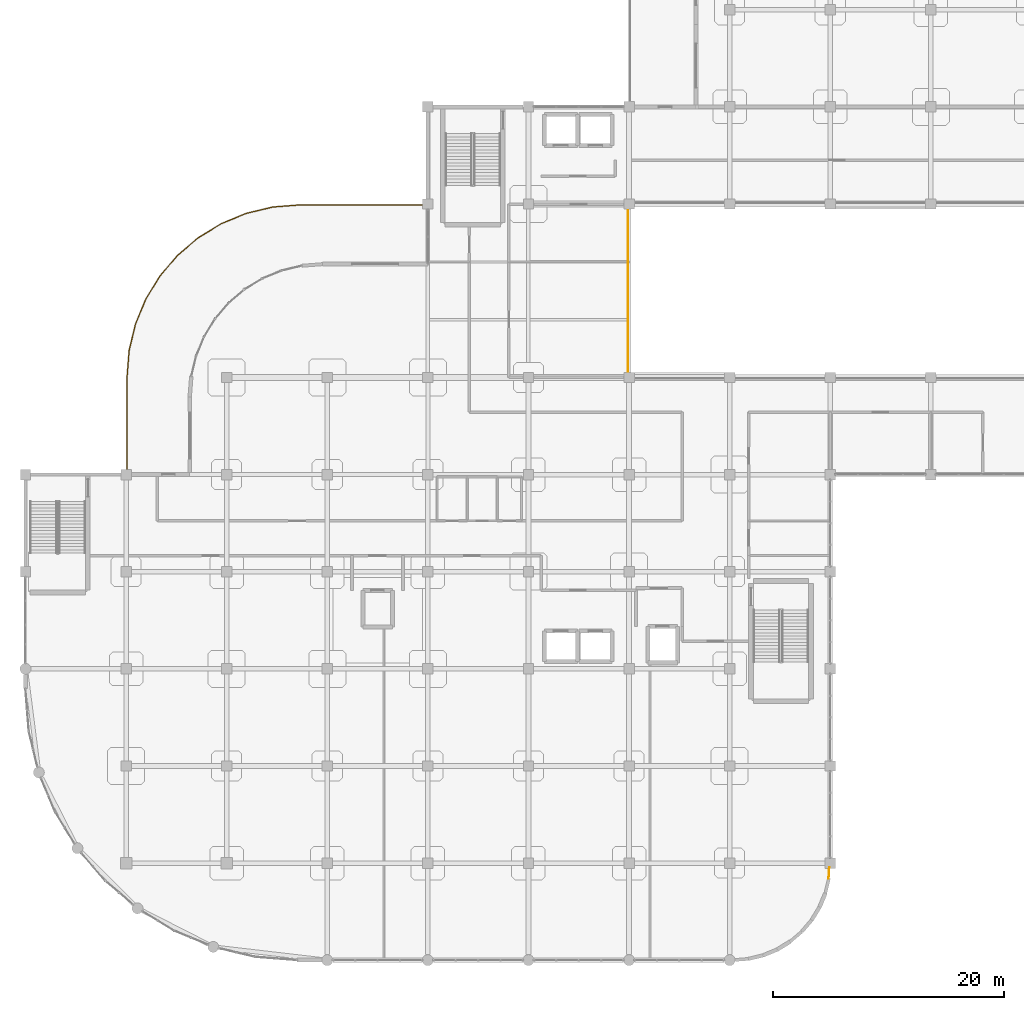
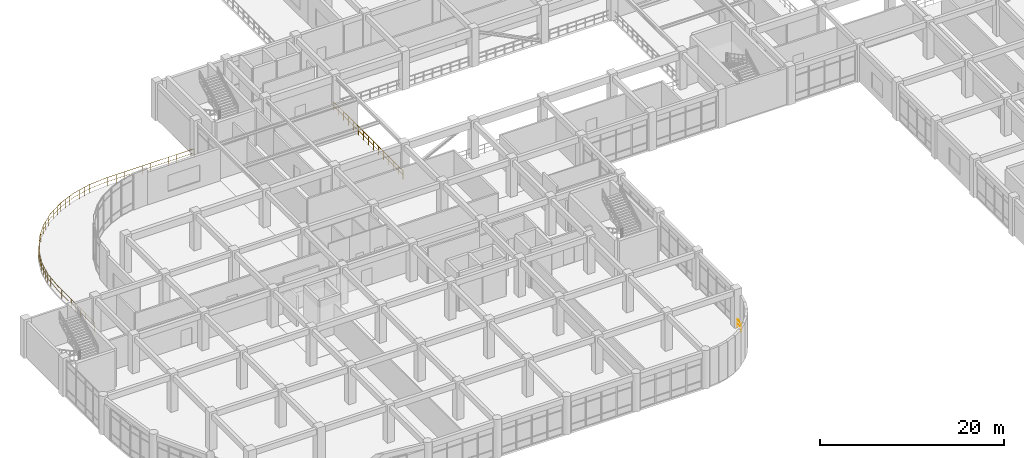
# One storey, part 111 of 120: 3 railings.
"""IFC4 building model written with IfcOpenShell, lengths in metres."""

from ifc_helpers import new_model, si_unit, derived_unit, direction, frame, origin, origin_2d, place, context, subcontext, project, spatial, circle, extrude, material, type_object, element, save


model = new_model("IFC4")

# Units and contexts
model_context = context("Model", 3, precision=1e-05, world=origin(), true_north=direction((0.0, 1.0)))
body_context = subcontext(model_context, "Body", "Model", "MODEL_VIEW")
ifc_project = project(units=[si_unit("LENGTHUNIT", "METRE"), si_unit("AREAUNIT", "SQUARE_METRE"), si_unit("VOLUMEUNIT", "CUBIC_METRE"), si_unit("PLANEANGLEUNIT", "RADIAN"), si_unit("MASSUNIT", "GRAM", prefix="KILO"), derived_unit("THERMALTRANSMITTANCEUNIT", [(si_unit("MASSUNIT", "GRAM", prefix="KILO"), 1), (si_unit("TIMEUNIT", "SECOND"), -3), (si_unit("THERMODYNAMICTEMPERATUREUNIT", "KELVIN"), -1)])], contexts=[model_context])

# Site, building, storey
site_placement = place(None, origin())
site = spatial("IfcSite", under=ifc_project, at=site_placement, CompositionType="ELEMENT")
building_placement = place(site_placement, origin())
building = spatial("IfcBuilding", under=site, at=building_placement, Name="Qinzheling Arcade Emporium", CompositionType="ELEMENT")
storey_placement = place(building_placement, frame((0.0, 0.0, 11.39990234375)))
storey = spatial("IfcBuildingStorey", under=building, at=storey_placement, Name="L03", CompositionType="ELEMENT", Elevation=11.39990234375)

# Railings
ifc_material_1 = material(Name="Architectural bronze rail and laminated safety glass", Category="glass")
railing_type_1 = type_object("IfcRailingType", Name="Curved Terrace Laminated Glass and Bronze Balustrade 1150", PredefinedType="BALUSTRADE", material=ifc_material_1)
railing_1_placement = place(storey_placement, frame((8.780029296875, 42.219970703125, 0.0)))
element("IfcRailing", 1, at=railing_1_placement, inside=storey, type_object=railing_type_1, Name="Terrace Balustrade RLG-TER-L03-001", PredefinedType="BALUSTRADE", context=body_context, shape_type="SweptSolid", body=[
    extrude(circle(Radius=0.02392578125, at=origin_2d()), frame((0.0, 0.0, 1.1259765625), z_axis=(0.0, 1.0, 0.0), x_axis=(-1.0, 0.0, 0.0)), (0.0, 0.0, 1.0), 8.177001953125),
    extrude(circle(Radius=0.01611328125, at=origin_2d()), frame((0.0, 0.0, 0.574951171875), z_axis=(0.0, 1.0, 0.0), x_axis=(-1.0, 0.0, 0.0)), (0.0, 0.0, 1.0), 8.177001953125),
    extrude(circle(Radius=0.02392578125, at=origin_2d()), frame((0.0, 8.177001953125, 1.1259765625), z_axis=(0.078528162279, 0.99691189567, 0.0), x_axis=(-0.99691189567, 0.078528162279, 0.0)), (0.0, 0.0, 1.0), 2.34423828125),
    extrude(circle(Radius=0.01611328125, at=origin_2d()), frame((0.0, 8.177001953125, 0.574951171875), z_axis=(0.078528162279, 0.99691189567, 0.0), x_axis=(-0.99691189567, 0.078528162279, 0.0)), (0.0, 0.0, 1.0), 2.34423828125),
    extrude(circle(Radius=0.02392578125, at=origin_2d()), frame((0.18408203125, 10.513916015625, 1.1259765625), z_axis=(0.23322304274, 0.972423268096, 0.0), x_axis=(-0.972423268096, 0.23322304274, 0.0)), (0.0, 0.0, 1.0), 2.340576171875),
    extrude(circle(Radius=0.01611328125, at=origin_2d()), frame((0.18408203125, 10.513916015625, 0.574951171875), z_axis=(0.23322304274, 0.972423268096, 0.0), x_axis=(-0.972423268096, 0.23322304274, 0.0)), (0.0, 0.0, 1.0), 2.340576171875),
    extrude(circle(Radius=0.02392578125, at=origin_2d()), frame((0.72998046875, 12.7900390625, 1.1259765625), z_axis=(0.382542052981, 0.923938081097, 0.0), x_axis=(-0.923938081097, 0.382542052981, 0.0)), (0.0, 0.0, 1.0), 2.34228515625),
    extrude(circle(Radius=0.01611328125, at=origin_2d()), frame((0.72998046875, 12.7900390625, 0.574951171875), z_axis=(0.382542052981, 0.923938081097, 0.0), x_axis=(-0.923938081097, 0.382542052981, 0.0)), (0.0, 0.0, 1.0), 2.34228515625),
    extrude(circle(Radius=0.02392578125, at=origin_2d()), frame((1.6259765625, 14.9541015625, 1.1259765625), z_axis=(0.52275277682, 0.85248433084, 0.0), x_axis=(-0.85248433084, 0.52275277682, 0.0)), (0.0, 0.0, 1.0), 2.34130859375),
    extrude(circle(Radius=0.01611328125, at=origin_2d()), frame((1.6259765625, 14.9541015625, 0.574951171875), z_axis=(0.52275277682, 0.85248433084, 0.0), x_axis=(-0.85248433084, 0.52275277682, 0.0)), (0.0, 0.0, 1.0), 2.34130859375),
    extrude(circle(Radius=0.02392578125, at=origin_2d()), frame((2.849853515625, 16.949951171875, 1.1259765625), z_axis=(0.649381568621, 0.76046273961, 0.0), x_axis=(-0.76046273961, 0.649381568621, 0.0)), (0.0, 0.0, 1.0), 2.3408203125),
    extrude(circle(Radius=0.01611328125, at=origin_2d()), frame((2.849853515625, 16.949951171875, 0.574951171875), z_axis=(0.649381568621, 0.76046273961, 0.0), x_axis=(-0.76046273961, 0.649381568621, 0.0)), (0.0, 0.0, 1.0), 2.3408203125),
    extrude(circle(Radius=0.02392578125, at=origin_2d()), frame((4.369873046875, 18.72998046875, 1.1259765625), z_axis=(0.76046273961, 0.649381568621, 0.0), x_axis=(-0.649381568621, 0.76046273961, 0.0)), (0.0, 0.0, 1.0), 2.3408203125),
    extrude(circle(Radius=0.01611328125, at=origin_2d()), frame((4.369873046875, 18.72998046875, 0.574951171875), z_axis=(0.76046273961, 0.649381568621, 0.0), x_axis=(-0.649381568621, 0.76046273961, 0.0)), (0.0, 0.0, 1.0), 2.3408203125),
    extrude(circle(Radius=0.02392578125, at=origin_2d()), frame((6.14990234375, 20.25, 1.1259765625), z_axis=(0.852466358468, 0.522782084315, 0.0), x_axis=(-0.522782084315, 0.852466358468, 0.0)), (0.0, 0.0, 1.0), 2.341552734375),
    extrude(circle(Radius=0.01611328125, at=origin_2d()), frame((6.14990234375, 20.25, 0.574951171875), z_axis=(0.852466358468, 0.522782084315, 0.0), x_axis=(-0.522782084315, 0.852466358468, 0.0)), (0.0, 0.0, 1.0), 2.341552734375),
    extrude(circle(Radius=0.02392578125, at=origin_2d()), frame((8.14599609375, 21.47412109375, 1.1259765625), z_axis=(0.923938081097, 0.382542052981, 0.0), x_axis=(-0.382542052981, 0.923938081097, 0.0)), (0.0, 0.0, 1.0), 2.34228515625),
    extrude(circle(Radius=0.01611328125, at=origin_2d()), frame((8.14599609375, 21.47412109375, 0.574951171875), z_axis=(0.923938081097, 0.382542052981, 0.0), x_axis=(-0.382542052981, 0.923938081097, 0.0)), (0.0, 0.0, 1.0), 2.34228515625),
    extrude(circle(Radius=0.02392578125, at=origin_2d()), frame((10.31005859375, 22.3701171875, 1.1259765625), z_axis=(0.972417593844, 0.233246700261, 0.0), x_axis=(-0.233246700261, 0.972417593844, 0.0)), (0.0, 0.0, 1.0), 2.34033203125),
    extrude(circle(Radius=0.01611328125, at=origin_2d()), frame((10.31005859375, 22.3701171875, 0.574951171875), z_axis=(0.972417593844, 0.233246700261, 0.0), x_axis=(-0.233246700261, 0.972417593844, 0.0)), (0.0, 0.0, 1.0), 2.34033203125),
    extrude(circle(Radius=0.02392578125, at=origin_2d()), frame((12.5859375, 22.916015625, 1.1259765625), z_axis=(0.99691189567, 0.078528162279, 0.0), x_axis=(-0.078528162279, 0.99691189567, 0.0)), (0.0, 0.0, 1.0), 2.34423828125),
    extrude(circle(Radius=0.01611328125, at=origin_2d()), frame((12.5859375, 22.916015625, 0.574951171875), z_axis=(0.99691189567, 0.078528162279, 0.0), x_axis=(-0.078528162279, 0.99691189567, 0.0)), (0.0, 0.0, 1.0), 2.34423828125),
    extrude(circle(Radius=0.02392578125, at=origin_2d()), frame((14.9228515625, 23.10009765625, 1.1259765625), z_axis=(1.0, 0.0, 0.0), x_axis=(0.0, 1.0, 0.0)), (0.0, 0.0, 1.0), 10.877197265625),
    extrude(circle(Radius=0.01611328125, at=origin_2d()), frame((14.9228515625, 23.10009765625, 0.574951171875), z_axis=(1.0, 0.0, 0.0), x_axis=(0.0, 1.0, 0.0)), (0.0, 0.0, 1.0), 10.877197265625),
    extrude(circle(Radius=0.02099609375, at=origin_2d()), origin(), (0.0, 0.0, 1.0), 1.101806640625),
    extrude(circle(Radius=0.02099609375, at=origin_2d()), frame((0.0, 1.022216796875, 0.0)), (0.0, 0.0, 1.0), 1.101806640625),
    extrude(circle(Radius=0.02099609375, at=origin_2d()), frame((0.0, 2.044189453125, 0.0)), (0.0, 0.0, 1.0), 1.101806640625),
    extrude(circle(Radius=0.02099609375, at=origin_2d()), frame((0.0, 3.06640625, 0.0)), (0.0, 0.0, 1.0), 1.101806640625),
    extrude(circle(Radius=0.02099609375, at=origin_2d()), frame((0.0, 4.08837890625, 0.0)), (0.0, 0.0, 1.0), 1.101806640625),
    extrude(circle(Radius=0.02099609375, at=origin_2d()), frame((0.0, 5.110595703125, 0.0)), (0.0, 0.0, 1.0), 1.101806640625),
    extrude(circle(Radius=0.02099609375, at=origin_2d()), frame((0.0, 6.1328125, 0.0)), (0.0, 0.0, 1.0), 1.101806640625),
    extrude(circle(Radius=0.02099609375, at=origin_2d()), frame((0.0, 7.15478515625, 0.0)), (0.0, 0.0, 1.0), 1.101806640625),
    extrude(circle(Radius=0.02099609375, at=origin_2d()), frame((0.0, 8.177001953125, 0.0)), (0.0, 0.0, 1.0), 1.101806640625),
    extrude(circle(Radius=0.02099609375, at=origin_2d()), frame((0.061279296875, 8.9560546875, 0.0)), (0.0, 0.0, 1.0), 1.101806640625),
    extrude(circle(Radius=0.02099609375, at=origin_2d()), frame((0.122802734375, 9.73486328125, 0.0)), (0.0, 0.0, 1.0), 1.101806640625),
    extrude(circle(Radius=0.02099609375, at=origin_2d()), frame((0.18408203125, 10.513916015625, 0.0)), (0.0, 0.0, 1.0), 1.101806640625),
    extrude(circle(Radius=0.02099609375, at=origin_2d()), frame((0.365966796875, 11.272705078125, 0.0)), (0.0, 0.0, 1.0), 1.101806640625),
    extrude(circle(Radius=0.02099609375, at=origin_2d()), frame((0.548095703125, 12.03125, 0.0)), (0.0, 0.0, 1.0), 1.101806640625),
    extrude(circle(Radius=0.02099609375, at=origin_2d()), frame((0.72998046875, 12.7900390625, 0.0)), (0.0, 0.0, 1.0), 1.101806640625),
    extrude(circle(Radius=0.02099609375, at=origin_2d()), frame((1.028564453125, 13.511474609375, 0.0)), (0.0, 0.0, 1.0), 1.101806640625),
    extrude(circle(Radius=0.02099609375, at=origin_2d()), frame((1.327392578125, 14.232666015625, 0.0)), (0.0, 0.0, 1.0), 1.101806640625),
    extrude(circle(Radius=0.02099609375, at=origin_2d()), frame((1.6259765625, 14.9541015625, 0.0)), (0.0, 0.0, 1.0), 1.101806640625),
    extrude(circle(Radius=0.02099609375, at=origin_2d()), frame((2.033935546875, 15.619384765625, 0.0)), (0.0, 0.0, 1.0), 1.101806640625),
    extrude(circle(Radius=0.02099609375, at=origin_2d()), frame((2.44189453125, 16.28466796875, 0.0)), (0.0, 0.0, 1.0), 1.101806640625),
    extrude(circle(Radius=0.02099609375, at=origin_2d()), frame((2.849853515625, 16.949951171875, 0.0)), (0.0, 0.0, 1.0), 1.101806640625),
    extrude(circle(Radius=0.02099609375, at=origin_2d()), frame((3.3564453125, 17.543212890625, 0.0)), (0.0, 0.0, 1.0), 1.101806640625),
    extrude(circle(Radius=0.02099609375, at=origin_2d()), frame((3.86328125, 18.13671875, 0.0)), (0.0, 0.0, 1.0), 1.101806640625),
    extrude(circle(Radius=0.02099609375, at=origin_2d()), frame((4.369873046875, 18.72998046875, 0.0)), (0.0, 0.0, 1.0), 1.101806640625),
    extrude(circle(Radius=0.02099609375, at=origin_2d()), frame((4.963134765625, 19.236572265625, 0.0)), (0.0, 0.0, 1.0), 1.101806640625),
    extrude(circle(Radius=0.02099609375, at=origin_2d()), frame((5.556640625, 19.743408203125, 0.0)), (0.0, 0.0, 1.0), 1.101806640625),
    extrude(circle(Radius=0.02099609375, at=origin_2d()), frame((6.14990234375, 20.25, 0.0)), (0.0, 0.0, 1.0), 1.101806640625),
    extrude(circle(Radius=0.02099609375, at=origin_2d()), frame((6.815185546875, 20.657958984375, 0.0)), (0.0, 0.0, 1.0), 1.101806640625),
    extrude(circle(Radius=0.02099609375, at=origin_2d()), frame((7.480712890625, 21.066162109375, 0.0)), (0.0, 0.0, 1.0), 1.101806640625),
    extrude(circle(Radius=0.02099609375, at=origin_2d()), frame((8.14599609375, 21.47412109375, 0.0)), (0.0, 0.0, 1.0), 1.101806640625),
    extrude(circle(Radius=0.02099609375, at=origin_2d()), frame((8.867431640625, 21.772705078125, 0.0)), (0.0, 0.0, 1.0), 1.101806640625),
    extrude(circle(Radius=0.02099609375, at=origin_2d()), frame((9.588623046875, 22.071533203125, 0.0)), (0.0, 0.0, 1.0), 1.101806640625),
    extrude(circle(Radius=0.02099609375, at=origin_2d()), frame((10.31005859375, 22.3701171875, 0.0)), (0.0, 0.0, 1.0), 1.101806640625),
    extrude(circle(Radius=0.02099609375, at=origin_2d()), frame((11.068603515625, 22.552001953125, 0.0)), (0.0, 0.0, 1.0), 1.101806640625),
    extrude(circle(Radius=0.02099609375, at=origin_2d()), frame((11.827392578125, 22.734130859375, 0.0)), (0.0, 0.0, 1.0), 1.101806640625),
    extrude(circle(Radius=0.02099609375, at=origin_2d()), frame((12.5859375, 22.916015625, 0.0)), (0.0, 0.0, 1.0), 1.101806640625),
    extrude(circle(Radius=0.02099609375, at=origin_2d()), frame((13.364990234375, 22.977294921875, 0.0)), (0.0, 0.0, 1.0), 1.101806640625),
    extrude(circle(Radius=0.02099609375, at=origin_2d()), frame((14.143798828125, 23.038818359375, 0.0)), (0.0, 0.0, 1.0), 1.101806640625),
    extrude(circle(Radius=0.02099609375, at=origin_2d()), frame((14.9228515625, 23.10009765625, 0.0)), (0.0, 0.0, 1.0), 1.101806640625),
    extrude(circle(Radius=0.02099609375, at=origin_2d()), frame((16.010498046875, 23.10009765625, 0.0)), (0.0, 0.0, 1.0), 1.101806640625),
    extrude(circle(Radius=0.02099609375, at=origin_2d()), frame((17.098388671875, 23.10009765625, 0.0)), (0.0, 0.0, 1.0), 1.101806640625),
    extrude(circle(Radius=0.02099609375, at=origin_2d()), frame((18.18603515625, 23.10009765625, 0.0)), (0.0, 0.0, 1.0), 1.101806640625),
    extrude(circle(Radius=0.02099609375, at=origin_2d()), frame((19.273681640625, 23.10009765625, 0.0)), (0.0, 0.0, 1.0), 1.101806640625),
    extrude(circle(Radius=0.02099609375, at=origin_2d()), frame((20.361328125, 23.10009765625, 0.0)), (0.0, 0.0, 1.0), 1.101806640625),
    extrude(circle(Radius=0.02099609375, at=origin_2d()), frame((21.44921875, 23.10009765625, 0.0)), (0.0, 0.0, 1.0), 1.101806640625),
    extrude(circle(Radius=0.02099609375, at=origin_2d()), frame((22.536865234375, 23.10009765625, 0.0)), (0.0, 0.0, 1.0), 1.101806640625),
    extrude(circle(Radius=0.02099609375, at=origin_2d()), frame((23.62451171875, 23.10009765625, 0.0)), (0.0, 0.0, 1.0), 1.101806640625),
    extrude(circle(Radius=0.02099609375, at=origin_2d()), frame((24.71240234375, 23.10009765625, 0.0)), (0.0, 0.0, 1.0), 1.101806640625),
    extrude(circle(Radius=0.02099609375, at=origin_2d()), frame((25.800048828125, 23.10009765625, 0.0)), (0.0, 0.0, 1.0), 1.101806640625),
])
railing_2_placement = place(storey_placement, frame((69.4599609375, 7.050048828125, 0.0)))
element("IfcRailing", 2, at=railing_2_placement, inside=storey, type_object=railing_type_1, Name="Terrace Corner Balustrade RLG-TER-L03-CNR-V1", PredefinedType="BALUSTRADE", context=body_context, shape_type="SweptSolid", body=[
    extrude(circle(Radius=0.02392578125, at=origin_2d()), frame((0.0, 0.0, 1.1259765625), z_axis=(0.061799594829, 0.998088578273, 0.0), x_axis=(-0.998088578273, 0.061799594829, 0.0)), (0.0, 0.0, 1.0), 0.971923828125),
    extrude(circle(Radius=0.01611328125, at=origin_2d()), frame((0.0, 0.0, 0.574951171875), z_axis=(0.061799594829, 0.998088578273, 0.0), x_axis=(-0.998088578273, 0.061799594829, 0.0)), (0.0, 0.0, 1.0), 0.971923828125),
    extrude(circle(Radius=0.02099609375, at=origin_2d()), origin(), (0.0, 0.0, 1.0), 1.101806640625),
    extrude(circle(Radius=0.02099609375, at=origin_2d()), frame((0.06005859375, 0.969970703125, 0.0)), (0.0, 0.0, 1.0), 1.101806640625),
])
ifc_material_2 = material(Name="Galvanised powder-coated tubular steel", Category="steel")
railing_type_2 = type_object("IfcRailingType", Name="Painted Steel Stairwell Guard Railing 1150", PredefinedType="GUARDRAIL", material=ifc_material_2)
railing_3_placement = place(storey_placement, frame((52.1201171875, 50.3701171875, 0.0)))
element("IfcRailing", 3, at=railing_3_placement, inside=storey, type_object=railing_type_2, Name="Atrium Void Guard L03 W", PredefinedType="GUARDRAIL", context=body_context, shape_type="SweptSolid", body=[
    extrude(circle(Radius=0.02392578125, at=origin_2d()), frame((0.0, 0.0, 1.1259765625), z_axis=(0.0, 1.0, 0.0), x_axis=(-1.0, 0.0, 0.0)), (0.0, 0.0, 1.0), 15.059814453125),
    extrude(circle(Radius=0.01611328125, at=origin_2d()), frame((0.0, 0.0, 0.574951171875), z_axis=(0.0, 1.0, 0.0), x_axis=(-1.0, 0.0, 0.0)), (0.0, 0.0, 1.0), 15.059814453125),
    extrude(circle(Radius=0.02099609375, at=origin_2d()), origin(), (0.0, 0.0, 1.0), 1.101806640625),
    extrude(circle(Radius=0.02099609375, at=origin_2d()), frame((0.0, 1.07568359375, 0.0)), (0.0, 0.0, 1.0), 1.101806640625),
    extrude(circle(Radius=0.02099609375, at=origin_2d()), frame((0.0, 2.1513671875, 0.0)), (0.0, 0.0, 1.0), 1.101806640625),
    extrude(circle(Radius=0.02099609375, at=origin_2d()), frame((0.0, 3.22705078125, 0.0)), (0.0, 0.0, 1.0), 1.101806640625),
    extrude(circle(Radius=0.02099609375, at=origin_2d()), frame((0.0, 4.302734375, 0.0)), (0.0, 0.0, 1.0), 1.101806640625),
    extrude(circle(Radius=0.02099609375, at=origin_2d()), frame((0.0, 5.37841796875, 0.0)), (0.0, 0.0, 1.0), 1.101806640625),
    extrude(circle(Radius=0.02099609375, at=origin_2d()), frame((0.0, 6.4541015625, 0.0)), (0.0, 0.0, 1.0), 1.101806640625),
    extrude(circle(Radius=0.02099609375, at=origin_2d()), frame((0.0, 7.52978515625, 0.0)), (0.0, 0.0, 1.0), 1.101806640625),
    extrude(circle(Radius=0.02099609375, at=origin_2d()), frame((0.0, 8.605712890625, 0.0)), (0.0, 0.0, 1.0), 1.101806640625),
    extrude(circle(Radius=0.02099609375, at=origin_2d()), frame((0.0, 9.681396484375, 0.0)), (0.0, 0.0, 1.0), 1.101806640625),
    extrude(circle(Radius=0.02099609375, at=origin_2d()), frame((0.0, 10.757080078125, 0.0)), (0.0, 0.0, 1.0), 1.101806640625),
    extrude(circle(Radius=0.02099609375, at=origin_2d()), frame((0.0, 11.832763671875, 0.0)), (0.0, 0.0, 1.0), 1.101806640625),
    extrude(circle(Radius=0.02099609375, at=origin_2d()), frame((0.0, 12.908447265625, 0.0)), (0.0, 0.0, 1.0), 1.101806640625),
    extrude(circle(Radius=0.02099609375, at=origin_2d()), frame((0.0, 13.984130859375, 0.0)), (0.0, 0.0, 1.0), 1.101806640625),
    extrude(circle(Radius=0.02099609375, at=origin_2d()), frame((0.0, 15.059814453125, 0.0)), (0.0, 0.0, 1.0), 1.101806640625),
])

save(model, "model.ifc")
